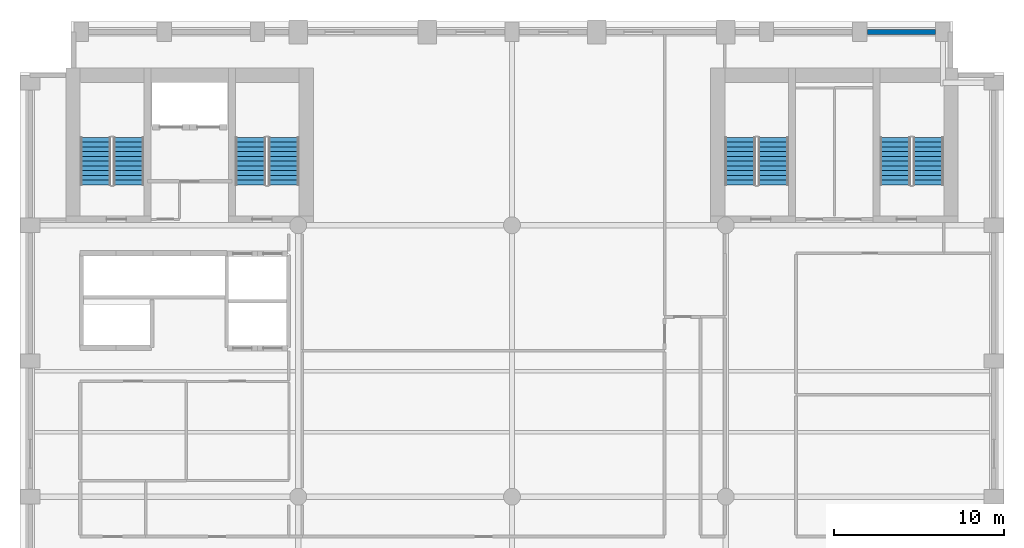
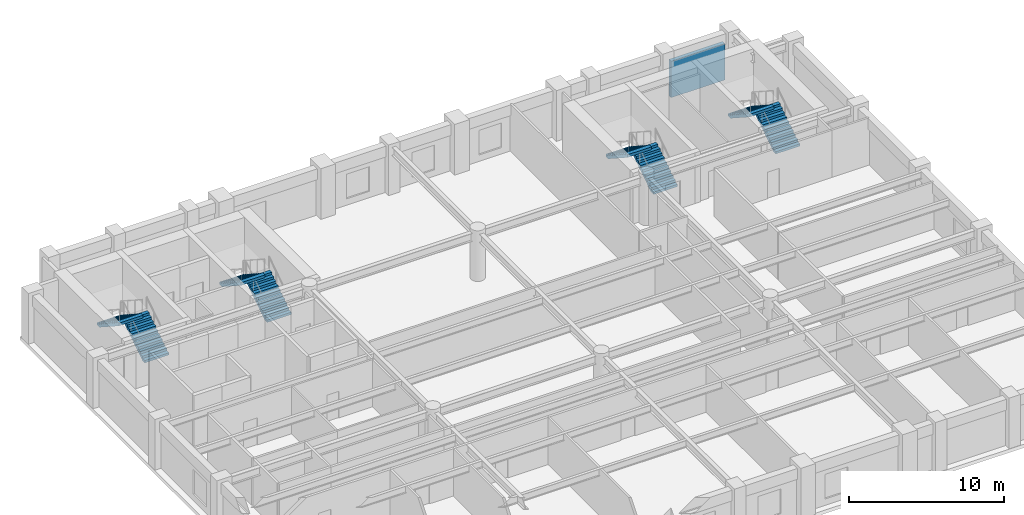
# One storey, part 6 of 8: 8 stair flights, 1 wall, 4 elements without a shape of their own.
"""IFC4 building model written with IfcOpenShell, lengths in metres."""

from ifc_helpers import new_model, si_unit, direction, frame, frame_2d, origin, place, context, subcontext, project, spatial, polyline, rectangle, outline, extrude, material, layer, layer_set, type_object, element, aggregate, save


model = new_model("IFC4")

# Units and contexts
model_context = context("Model", 3, precision=1e-05, world=origin(), true_north=direction((0.0, 1.0)))
body_context = subcontext(model_context, "Body", "Model", "MODEL_VIEW")
ifc_project = project(units=[si_unit("LENGTHUNIT", "METRE"), si_unit("AREAUNIT", "SQUARE_METRE"), si_unit("VOLUMEUNIT", "CUBIC_METRE"), si_unit("PLANEANGLEUNIT", "RADIAN"), si_unit("MASSUNIT", "GRAM", prefix="KILO")], contexts=[model_context])

# Site, building, storey
site_placement = place(None, origin())
site = spatial("IfcSite", under=ifc_project, at=site_placement, CompositionType="ELEMENT")
building_placement = place(site_placement, origin())
building = spatial("IfcBuilding", under=site, at=building_placement, Name="Sulina Concourse Tower", CompositionType="ELEMENT")
storey_placement = place(building_placement, frame((0.0, 0.0, 128.60009765625)))
storey = spatial("IfcBuildingStorey", under=building, at=storey_placement, Name="L31", CompositionType="ELEMENT", Elevation=128.60009765625)

# Wall
ifc_material_1 = material(Name="Precast concrete C50/60", Category="concrete")
ifc_layer = layer(ifc_material_1, 0.280029296875)
ifc_layer_set = layer_set([ifc_layer], Name="Precast concrete C50/60")
wall_type = type_object("IfcWallType", Name="Typical Precast Masonry-Frame Facade Wall 280mm", PredefinedType="SOLIDWALL", material=ifc_layer_set)
wall_placement = place(storey_placement, frame((49.945068359375, 45.39990234375, 0.0), z_axis=(0.0, 0.0, 1.0), x_axis=(1.0, 0.0, 0.0)))
element("IfcWall", 1, at=wall_placement, inside=storey, type_object=wall_type, Name="L31 exterior precast wall N10", PredefinedType="SOLIDWALL", context=body_context, shape_type="SweptSolid", body=[
    extrude(rectangle(XDim=4.010009765625, YDim=0.280029296875, at=frame_2d((2.0048828125, 0.0))), origin(), (0.0, 0.0, 1.0), 2.875),
])

# Stair, stair flights
ifc_material_2 = material(Name="Concrete C50/60", Category="concrete")
stair_type_1 = type_object("IfcStairType", Name="Portal & Podium Core Exit Stair 1820mm", PredefinedType="HALF_TURN_STAIR", material=ifc_material_2)
stair_1_placement = place(storey_placement, origin())
stair_1 = element("IfcStair", 2, at=stair_1_placement, inside=storey, type_object=stair_type_1, Name="L31 ST-3", PredefinedType="HALF_TURN_STAIR")
ifc_material_3 = material(Name="Concrete C50/60", Category="concrete")
stair_flight_type_1 = type_object("IfcStairFlightType", Name="Portal & Podium Core Exit Stair 1820mm Flight", PredefinedType="STRAIGHT", material=ifc_material_3)
stair_flight_1_placement = place(storey_placement, frame((44.405029296875, 36.375, 0.0), z_axis=(0.0, 0.0, 1.0), x_axis=(0.0, 1.0, 0.0)))
stair_flight_1 = element("IfcStairFlight", 3, at=stair_flight_1_placement, type_object=stair_flight_type_1, Name="ST-3 flight 1", NumberOfRisers=11, NumberOfTreads=10, PredefinedType="STRAIGHT", RiserHeight=0.181818182, TreadLength=0.28, context=body_context, shape_type="SweptSolid", body=[
    extrude(outline(polyline([(0.0, 0.0), (0.0, 0.181884765625), (0.280029296875, 0.181884765625), (0.280029296875, 0.363525390625), (0.56005859375, 0.363525390625), (0.56005859375, 0.54541015625), (0.840087890625, 0.54541015625), (0.840087890625, 0.727294921875), (1.1201171875, 0.727294921875), (1.1201171875, 0.9091796875), (1.39990234375, 0.9091796875), (1.39990234375, 1.0908203125), (1.679931640625, 1.0908203125), (1.679931640625, 1.272705078125), (1.9599609375, 1.272705078125), (1.9599609375, 1.45458984375), (2.239990234375, 1.45458984375), (2.239990234375, 1.636474609375), (2.52001953125, 1.636474609375), (2.52001953125, 1.818115234375), (2.800048828125, 1.818115234375), (2.800048828125, 2.0), (2.800048828125, 1.603759765625), (0.330322265625, 0.0), (0.0, 0.0)])), frame((0.0, 0.89990234375, 0.0), z_axis=(0.0, -1.0, 0.0), x_axis=(1.0, 0.0, 0.0)), (0.0, 0.0, 1.0), 1.800048828125),
])
stair_flight_2_placement = place(storey_placement, frame((42.455078125, 39.175048828125, 2.0), z_axis=(0.0, 0.0, 1.0), x_axis=(0.0, -1.0, 0.0)))
stair_flight_2 = element("IfcStairFlight", 4, at=stair_flight_2_placement, type_object=stair_flight_type_1, Name="ST-3 flight 2", NumberOfRisers=11, NumberOfTreads=10, PredefinedType="STRAIGHT", RiserHeight=0.181818182, TreadLength=0.28, context=body_context, shape_type="SweptSolid", body=[
    extrude(outline(polyline([(0.0, 0.0), (0.0, 0.181884765625), (0.280029296875, 0.181884765625), (0.280029296875, 0.363525390625), (0.56005859375, 0.363525390625), (0.56005859375, 0.54541015625), (0.840087890625, 0.54541015625), (0.840087890625, 0.727294921875), (1.1201171875, 0.727294921875), (1.1201171875, 0.9091796875), (1.39990234375, 0.9091796875), (1.39990234375, 1.0908203125), (1.679931640625, 1.0908203125), (1.679931640625, 1.272705078125), (1.9599609375, 1.272705078125), (1.9599609375, 1.45458984375), (2.239990234375, 1.45458984375), (2.239990234375, 1.636474609375), (2.52001953125, 1.636474609375), (2.52001953125, 1.818115234375), (2.800048828125, 1.818115234375), (2.800048828125, 2.0), (2.800048828125, 1.603759765625), (0.330322265625, 0.0), (0.0, 0.0)])), frame((0.0, 0.89990234375, 0.0), z_axis=(0.0, -1.0, 0.0), x_axis=(1.0, 0.0, 0.0)), (0.0, 0.0, 1.0), 1.800048828125),
])
aggregate(stair_1, [stair_flight_1, stair_flight_2])

stair_2_placement = place(storey_placement, origin())
stair_2 = element("IfcStair", 5, at=stair_2_placement, inside=storey, type_object=stair_type_1, Name="L31 ST-4", PredefinedType="HALF_TURN_STAIR")
stair_flight_3_placement = place(storey_placement, frame((53.544921875, 36.375, 0.0), z_axis=(0.0, 0.0, 1.0), x_axis=(0.0, 1.0, 0.0)))
stair_flight_3 = element("IfcStairFlight", 6, at=stair_flight_3_placement, type_object=stair_flight_type_1, Name="ST-4 flight 1", NumberOfRisers=11, NumberOfTreads=10, PredefinedType="STRAIGHT", RiserHeight=0.181818182, TreadLength=0.28, context=body_context, shape_type="SweptSolid", body=[
    extrude(outline(polyline([(0.0, 0.0), (0.0, 0.181884765625), (0.280029296875, 0.181884765625), (0.280029296875, 0.363525390625), (0.56005859375, 0.363525390625), (0.56005859375, 0.54541015625), (0.840087890625, 0.54541015625), (0.840087890625, 0.727294921875), (1.1201171875, 0.727294921875), (1.1201171875, 0.9091796875), (1.39990234375, 0.9091796875), (1.39990234375, 1.0908203125), (1.679931640625, 1.0908203125), (1.679931640625, 1.272705078125), (1.9599609375, 1.272705078125), (1.9599609375, 1.45458984375), (2.239990234375, 1.45458984375), (2.239990234375, 1.636474609375), (2.52001953125, 1.636474609375), (2.52001953125, 1.818115234375), (2.800048828125, 1.818115234375), (2.800048828125, 2.0), (2.800048828125, 1.603759765625), (0.330322265625, 0.0), (0.0, 0.0)])), frame((0.0, 0.89990234375, 0.0), z_axis=(0.0, -1.0, 0.0), x_axis=(1.0, 0.0, 0.0)), (0.0, 0.0, 1.0), 1.800048828125),
])
stair_flight_4_placement = place(storey_placement, frame((51.594970703125, 39.175048828125, 2.0), z_axis=(0.0, 0.0, 1.0), x_axis=(0.0, -1.0, 0.0)))
stair_flight_4 = element("IfcStairFlight", 7, at=stair_flight_4_placement, type_object=stair_flight_type_1, Name="ST-4 flight 2", NumberOfRisers=11, NumberOfTreads=10, PredefinedType="STRAIGHT", RiserHeight=0.181818182, TreadLength=0.28, context=body_context, shape_type="SweptSolid", body=[
    extrude(outline(polyline([(0.0, 0.0), (0.0, 0.181884765625), (0.280029296875, 0.181884765625), (0.280029296875, 0.363525390625), (0.56005859375, 0.363525390625), (0.56005859375, 0.54541015625), (0.840087890625, 0.54541015625), (0.840087890625, 0.727294921875), (1.1201171875, 0.727294921875), (1.1201171875, 0.9091796875), (1.39990234375, 0.9091796875), (1.39990234375, 1.0908203125), (1.679931640625, 1.0908203125), (1.679931640625, 1.272705078125), (1.9599609375, 1.272705078125), (1.9599609375, 1.45458984375), (2.239990234375, 1.45458984375), (2.239990234375, 1.636474609375), (2.52001953125, 1.636474609375), (2.52001953125, 1.818115234375), (2.800048828125, 1.818115234375), (2.800048828125, 2.0), (2.800048828125, 1.603759765625), (0.330322265625, 0.0), (0.0, 0.0)])), frame((0.0, 0.89990234375, 0.0), z_axis=(0.0, -1.0, 0.0), x_axis=(1.0, 0.0, 0.0)), (0.0, 0.0, 1.0), 1.800048828125),
])
aggregate(stair_2, [stair_flight_3, stair_flight_4])

ifc_material_4 = material(Name="Concrete C50/60", Category="concrete")
stair_type_2 = type_object("IfcStairType", Name="Primary Core Dog-Leg Exit Stair 1800mm", PredefinedType="HALF_TURN_STAIR", material=ifc_material_4)
stair_3_placement = place(storey_placement, origin())
stair_3 = element("IfcStair", 8, at=stair_3_placement, inside=storey, type_object=stair_type_2, Name="L31 ST-1", PredefinedType="HALF_TURN_STAIR")
ifc_material_5 = material(Name="Concrete C50/60", Category="concrete")
stair_flight_type_2 = type_object("IfcStairFlightType", Name="Primary Core Dog-Leg Exit Stair 1800mm Flight", PredefinedType="STRAIGHT", material=ifc_material_5)
stair_flight_5_placement = place(storey_placement, frame((6.405029296875, 36.375, 0.0), z_axis=(0.0, 0.0, 1.0), x_axis=(0.0, 1.0, 0.0)))
stair_flight_5 = element("IfcStairFlight", 9, at=stair_flight_5_placement, type_object=stair_flight_type_2, Name="ST-1 flight 1", NumberOfRisers=11, NumberOfTreads=10, PredefinedType="STRAIGHT", RiserHeight=0.181818182, TreadLength=0.28, context=body_context, shape_type="SweptSolid", body=[
    extrude(outline(polyline([(0.0, 0.0), (0.0, 0.181884765625), (0.280029296875, 0.181884765625), (0.280029296875, 0.363525390625), (0.56005859375, 0.363525390625), (0.56005859375, 0.54541015625), (0.840087890625, 0.54541015625), (0.840087890625, 0.727294921875), (1.1201171875, 0.727294921875), (1.1201171875, 0.9091796875), (1.39990234375, 0.9091796875), (1.39990234375, 1.0908203125), (1.679931640625, 1.0908203125), (1.679931640625, 1.272705078125), (1.9599609375, 1.272705078125), (1.9599609375, 1.45458984375), (2.239990234375, 1.45458984375), (2.239990234375, 1.636474609375), (2.52001953125, 1.636474609375), (2.52001953125, 1.818115234375), (2.800048828125, 1.818115234375), (2.800048828125, 2.0), (2.800048828125, 1.603759765625), (0.330322265625, 0.0), (0.0, 0.0)])), frame((0.0, 0.89990234375, 0.0), z_axis=(0.0, -1.0, 0.0), x_axis=(1.0, 0.0, 0.0)), (0.0, 0.0, 1.0), 1.800048828125),
])
stair_flight_6_placement = place(storey_placement, frame((4.455078125, 39.175048828125, 2.0), z_axis=(0.0, 0.0, 1.0), x_axis=(0.0, -1.0, 0.0)))
stair_flight_6 = element("IfcStairFlight", 10, at=stair_flight_6_placement, type_object=stair_flight_type_2, Name="ST-1 flight 2", NumberOfRisers=11, NumberOfTreads=10, PredefinedType="STRAIGHT", RiserHeight=0.181818182, TreadLength=0.28, context=body_context, shape_type="SweptSolid", body=[
    extrude(outline(polyline([(0.0, 0.0), (0.0, 0.181884765625), (0.280029296875, 0.181884765625), (0.280029296875, 0.363525390625), (0.56005859375, 0.363525390625), (0.56005859375, 0.54541015625), (0.840087890625, 0.54541015625), (0.840087890625, 0.727294921875), (1.1201171875, 0.727294921875), (1.1201171875, 0.9091796875), (1.39990234375, 0.9091796875), (1.39990234375, 1.0908203125), (1.679931640625, 1.0908203125), (1.679931640625, 1.272705078125), (1.9599609375, 1.272705078125), (1.9599609375, 1.45458984375), (2.239990234375, 1.45458984375), (2.239990234375, 1.636474609375), (2.52001953125, 1.636474609375), (2.52001953125, 1.818115234375), (2.800048828125, 1.818115234375), (2.800048828125, 2.0), (2.800048828125, 1.603759765625), (0.330322265625, 0.0), (0.0, 0.0)])), frame((0.0, 0.89990234375, 0.0), z_axis=(0.0, -1.0, 0.0), x_axis=(1.0, 0.0, 0.0)), (0.0, 0.0, 1.0), 1.800048828125),
])
aggregate(stair_3, [stair_flight_5, stair_flight_6])

stair_4_placement = place(storey_placement, origin())
stair_4 = element("IfcStair", 11, at=stair_4_placement, inside=storey, type_object=stair_type_2, Name="L31 ST-2", PredefinedType="HALF_TURN_STAIR")
stair_flight_7_placement = place(storey_placement, frame((15.544921875, 36.375, 0.0), z_axis=(0.0, 0.0, 1.0), x_axis=(0.0, 1.0, 0.0)))
stair_flight_7 = element("IfcStairFlight", 12, at=stair_flight_7_placement, type_object=stair_flight_type_2, Name="ST-2 flight 1", NumberOfRisers=11, NumberOfTreads=10, PredefinedType="STRAIGHT", RiserHeight=0.181818182, TreadLength=0.28, context=body_context, shape_type="SweptSolid", body=[
    extrude(outline(polyline([(0.0, 0.0), (0.0, 0.181884765625), (0.280029296875, 0.181884765625), (0.280029296875, 0.363525390625), (0.56005859375, 0.363525390625), (0.56005859375, 0.54541015625), (0.840087890625, 0.54541015625), (0.840087890625, 0.727294921875), (1.1201171875, 0.727294921875), (1.1201171875, 0.9091796875), (1.39990234375, 0.9091796875), (1.39990234375, 1.0908203125), (1.679931640625, 1.0908203125), (1.679931640625, 1.272705078125), (1.9599609375, 1.272705078125), (1.9599609375, 1.45458984375), (2.239990234375, 1.45458984375), (2.239990234375, 1.636474609375), (2.52001953125, 1.636474609375), (2.52001953125, 1.818115234375), (2.800048828125, 1.818115234375), (2.800048828125, 2.0), (2.800048828125, 1.603759765625), (0.330322265625, 0.0), (0.0, 0.0)])), frame((0.0, 0.89990234375, 0.0), z_axis=(0.0, -1.0, 0.0), x_axis=(1.0, 0.0, 0.0)), (0.0, 0.0, 1.0), 1.800048828125),
])
stair_flight_8_placement = place(storey_placement, frame((13.594970703125, 39.175048828125, 2.0), z_axis=(0.0, 0.0, 1.0), x_axis=(0.0, -1.0, 0.0)))
stair_flight_8 = element("IfcStairFlight", 13, at=stair_flight_8_placement, type_object=stair_flight_type_2, Name="ST-2 flight 2", NumberOfRisers=11, NumberOfTreads=10, PredefinedType="STRAIGHT", RiserHeight=0.181818182, TreadLength=0.28, context=body_context, shape_type="SweptSolid", body=[
    extrude(outline(polyline([(0.0, 0.0), (0.0, 0.181884765625), (0.280029296875, 0.181884765625), (0.280029296875, 0.363525390625), (0.56005859375, 0.363525390625), (0.56005859375, 0.54541015625), (0.840087890625, 0.54541015625), (0.840087890625, 0.727294921875), (1.1201171875, 0.727294921875), (1.1201171875, 0.9091796875), (1.39990234375, 0.9091796875), (1.39990234375, 1.0908203125), (1.679931640625, 1.0908203125), (1.679931640625, 1.272705078125), (1.9599609375, 1.272705078125), (1.9599609375, 1.45458984375), (2.239990234375, 1.45458984375), (2.239990234375, 1.636474609375), (2.52001953125, 1.636474609375), (2.52001953125, 1.818115234375), (2.800048828125, 1.818115234375), (2.800048828125, 2.0), (2.800048828125, 1.603759765625), (0.330322265625, 0.0), (0.0, 0.0)])), frame((0.0, 0.89990234375, 0.0), z_axis=(0.0, -1.0, 0.0), x_axis=(1.0, 0.0, 0.0)), (0.0, 0.0, 1.0), 1.800048828125),
])
aggregate(stair_4, [stair_flight_7, stair_flight_8])

save(model, "model.ifc")
